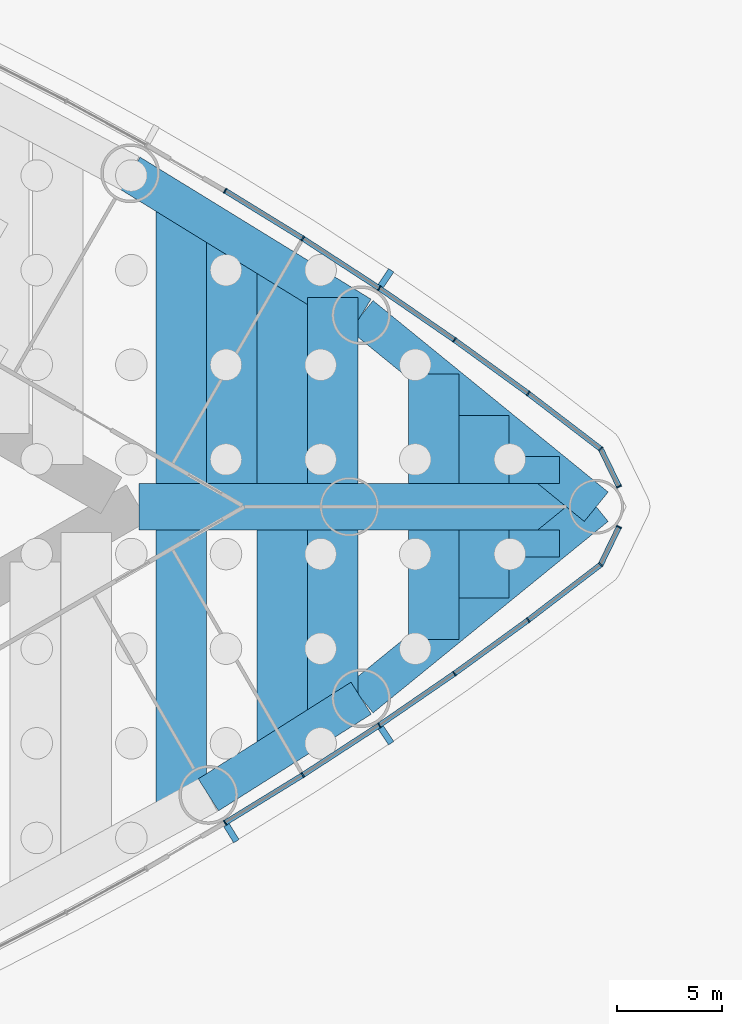
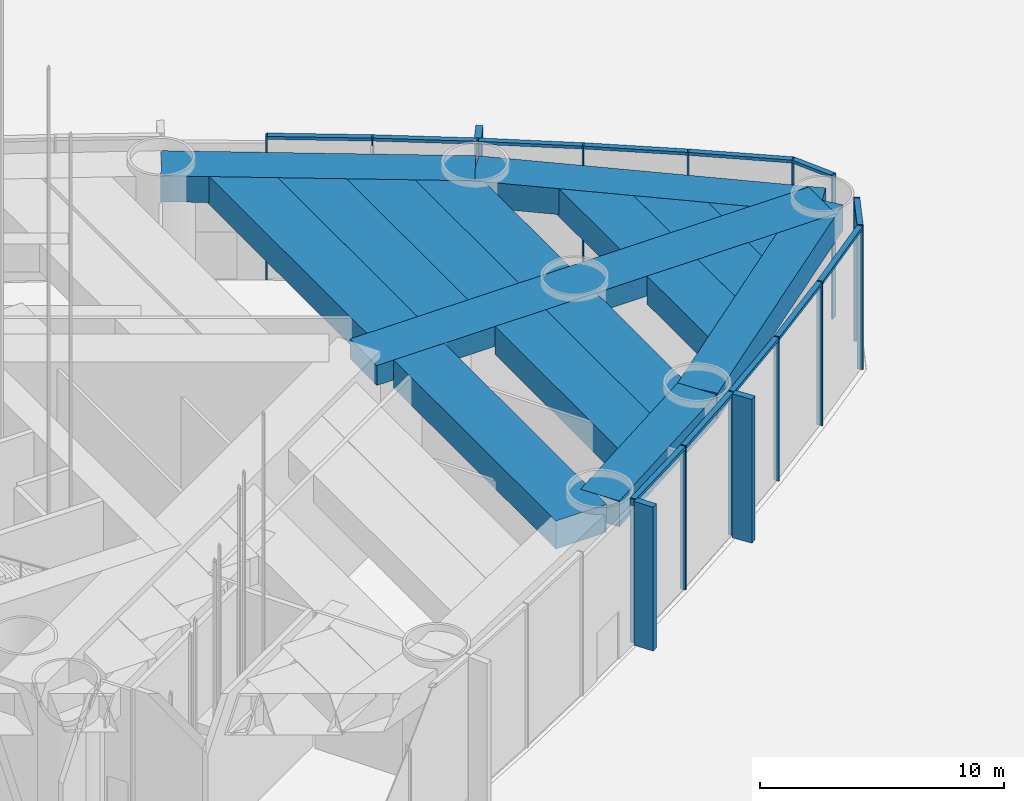
# One storey, part 16 of 43: 29 members, 18 beams, 2 elements without a shape of their own.
"""IFC4 building model written with IfcOpenShell, lengths in metres."""

from ifc_helpers import new_model, si_unit, direction, frame, origin, origin_2d, place, context, subcontext, project, spatial, rectangle, extrude, material, material_profile, profile_set, type_object, element, aggregate, save


model = new_model("IFC4")

# Units and contexts
model_context = context("Model", 3, precision=1e-05, world=origin(), true_north=direction((0.0, 1.0)))
body_context = subcontext(model_context, "Body", "Model", "MODEL_VIEW")
ifc_project = project(units=[si_unit("LENGTHUNIT", "METRE"), si_unit("AREAUNIT", "SQUARE_METRE"), si_unit("VOLUMEUNIT", "CUBIC_METRE"), si_unit("PLANEANGLEUNIT", "RADIAN"), si_unit("MASSUNIT", "GRAM", prefix="KILO")], contexts=[model_context])

# Site, building, storey
site_placement = place(None, origin())
site = spatial("IfcSite", under=ifc_project, at=site_placement, CompositionType="ELEMENT")
building_placement = place(site_placement, origin())
building = spatial("IfcBuilding", under=site, at=building_placement, Name="Lancet Gate Hotel", CompositionType="ELEMENT")
storey_placement = place(building_placement, origin())
storey = spatial("IfcBuildingStorey", under=building, at=storey_placement, Name="L00", CompositionType="ELEMENT", Elevation=0.0)

# Curtain wall, members
ifc_material_1 = material(Name="Aluminium curtain wall", Category="aluminium")
curtain_wall_type = type_object("IfcCurtainWallType", Name="Podium curtain wall", PredefinedType="USERDEFINED", material=ifc_material_1)
curtain_wall_1_placement = place(storey_placement, origin())
curtain_wall_1 = element("IfcCurtainWall", 1, at=curtain_wall_1_placement, inside=storey, type_object=curtain_wall_type, Name="T2 L00 curtain wall 3", ObjectType="UNITISED CURTAIN WALL", PredefinedType="USERDEFINED")
ifc_material_2 = material(Name="Aluminium mullion", Category="aluminium")
ifc_material_profile_1 = material_profile(ifc_material_2, rectangle(XDim=0.06494140625, YDim=0.25, at=origin_2d()), Name="MULLION 65x250")
ifc_profile_set_1 = profile_set([ifc_material_profile_1], Name="Aluminium mullion")
member_type_1 = type_object("IfcMemberType", Name="Aluminium mullion 65x250", PredefinedType="MULLION", material=ifc_profile_set_1)
member_1_placement = place(storey_placement, frame((55.590087890625, -15.03125, 0.0), z_axis=(0.0, 0.0, 1.0), x_axis=(0.851815201664, 0.523842402077, 0.0)))
member_1 = element("IfcMember", 2, at=member_1_placement, type_object=member_type_1, Name="T2 L00 curtain wall 3 mullion 1", PredefinedType="MULLION", context=body_context, shape_type="SweptSolid", body=[
    extrude(rectangle(XDim=0.06494140625, YDim=0.25, at=origin_2d()), origin(), (0.0, 0.0, 1.0), 7.199951171875),
])
member_2_placement = place(storey_placement, frame((59.28515625, -12.7587890625, 0.0), z_axis=(0.0, 0.0, 1.0), x_axis=(0.845079420983, 0.534640788035, 0.0)))
member_2 = element("IfcMember", 3, at=member_2_placement, type_object=member_type_1, Name="T2 L00 curtain wall 3 mullion 2", PredefinedType="MULLION", context=body_context, shape_type="SweptSolid", body=[
    extrude(rectangle(XDim=0.06494140625, YDim=0.25, at=origin_2d()), origin(), (0.0, 0.0, 1.0), 7.199951171875),
])
member_3_placement = place(storey_placement, frame((62.921142578125, -10.393310546875, 0.0), z_axis=(0.0, 0.0, 1.0), x_axis=(0.831198325377, 0.555976028162, 0.0)))
member_3 = element("IfcMember", 4, at=member_3_placement, type_object=member_type_1, Name="T2 L00 curtain wall 3 mullion 3", PredefinedType="MULLION", context=body_context, shape_type="SweptSolid", body=[
    extrude(rectangle(XDim=0.06494140625, YDim=0.25, at=origin_2d()), origin(), (0.0, 0.0, 1.0), 7.199951171875),
])
member_4_placement = place(storey_placement, frame((66.49560546875, -7.935791015625, 0.0), z_axis=(0.0, 0.0, 1.0), x_axis=(0.816778715254, 0.576951064049, 0.0)))
member_4 = element("IfcMember", 5, at=member_4_placement, type_object=member_type_1, Name="T2 L00 curtain wall 3 mullion 4", PredefinedType="MULLION", context=body_context, shape_type="SweptSolid", body=[
    extrude(rectangle(XDim=0.06494140625, YDim=0.25, at=origin_2d()), origin(), (0.0, 0.0, 1.0), 7.199951171875),
])
member_5_placement = place(storey_placement, frame((70.00634765625, -5.388427734375, 0.0), z_axis=(0.0, 0.0, 1.0), x_axis=(0.801829932754, 0.597552306447, 0.0)))
member_5 = element("IfcMember", 6, at=member_5_placement, type_object=member_type_1, Name="T2 L00 curtain wall 3 mullion 5", PredefinedType="MULLION", context=body_context, shape_type="SweptSolid", body=[
    extrude(rectangle(XDim=0.06494140625, YDim=0.25, at=origin_2d()), origin(), (0.0, 0.0, 1.0), 7.199951171875),
])
member_6_placement = place(storey_placement, frame((73.451416015625, -2.752197265625, 0.0), z_axis=(0.0, 0.0, 1.0), x_axis=(0.697983022443, 0.716114306784, 0.0)))
member_6 = element("IfcMember", 7, at=member_6_placement, type_object=member_type_1, Name="T2 L00 curtain wall 3 mullion 6", PredefinedType="MULLION", context=body_context, shape_type="SweptSolid", body=[
    extrude(rectangle(XDim=0.06494140625, YDim=0.25, at=origin_2d()), origin(), (0.0, 0.0, 1.0), 7.199951171875),
])
member_7_placement = place(storey_placement, frame((74.322265625, -0.96044921875, 0.0), z_axis=(0.0, 0.0, 1.0), x_axis=(0.437169070119, 0.899379343843, 0.0)))
member_7 = element("IfcMember", 8, at=member_7_placement, type_object=member_type_1, Name="T2 L00 curtain wall 3 mullion 7", PredefinedType="MULLION", context=body_context, shape_type="SweptSolid", body=[
    extrude(rectangle(XDim=0.06494140625, YDim=0.25, at=origin_2d()), origin(), (0.0, 0.0, 1.0), 7.199951171875),
])

curtain_wall_2_placement = place(storey_placement, origin())
curtain_wall_2 = element("IfcCurtainWall", 9, at=curtain_wall_2_placement, inside=storey, type_object=curtain_wall_type, Name="T2 L00 curtain wall 4", ObjectType="UNITISED CURTAIN WALL", PredefinedType="USERDEFINED")
member_8_placement = place(storey_placement, frame((74.322265625, 0.96044921875, 0.0), z_axis=(0.0, 0.0, 1.0), x_axis=(-0.437169070119, 0.899379343843, 0.0)))
member_8 = element("IfcMember", 10, at=member_8_placement, type_object=member_type_1, Name="T2 L00 curtain wall 4 mullion 1", PredefinedType="MULLION", context=body_context, shape_type="SweptSolid", body=[
    extrude(rectangle(XDim=0.06494140625, YDim=0.25, at=origin_2d()), origin(), (0.0, 0.0, 1.0), 7.199951171875),
])
member_9_placement = place(storey_placement, frame((73.451416015625, 2.752197265625, 0.0), z_axis=(0.0, 0.0, 1.0), x_axis=(-0.697983022443, 0.716114306784, 0.0)))
member_9 = element("IfcMember", 11, at=member_9_placement, type_object=member_type_1, Name="T2 L00 curtain wall 4 mullion 2", PredefinedType="MULLION", context=body_context, shape_type="SweptSolid", body=[
    extrude(rectangle(XDim=0.06494140625, YDim=0.25, at=origin_2d()), origin(), (0.0, 0.0, 1.0), 7.199951171875),
])
member_10_placement = place(storey_placement, frame((70.00634765625, 5.388427734375, 0.0), z_axis=(0.0, 0.0, 1.0), x_axis=(-0.801829932754, 0.597552306447, 0.0)))
member_10 = element("IfcMember", 12, at=member_10_placement, type_object=member_type_1, Name="T2 L00 curtain wall 4 mullion 3", PredefinedType="MULLION", context=body_context, shape_type="SweptSolid", body=[
    extrude(rectangle(XDim=0.06494140625, YDim=0.25, at=origin_2d()), origin(), (0.0, 0.0, 1.0), 7.199951171875),
])
member_11_placement = place(storey_placement, frame((66.49560546875, 7.935791015625, 0.0), z_axis=(0.0, 0.0, 1.0), x_axis=(-0.816778715254, 0.576951064049, 0.0)))
member_11 = element("IfcMember", 13, at=member_11_placement, type_object=member_type_1, Name="T2 L00 curtain wall 4 mullion 4", PredefinedType="MULLION", context=body_context, shape_type="SweptSolid", body=[
    extrude(rectangle(XDim=0.06494140625, YDim=0.25, at=origin_2d()), origin(), (0.0, 0.0, 1.0), 7.199951171875),
])
member_12_placement = place(storey_placement, frame((62.921142578125, 10.393310546875, 0.0), z_axis=(0.0, 0.0, 1.0), x_axis=(-0.831198325377, 0.555976028162, 0.0)))
member_12 = element("IfcMember", 14, at=member_12_placement, type_object=member_type_1, Name="T2 L00 curtain wall 4 mullion 5", PredefinedType="MULLION", context=body_context, shape_type="SweptSolid", body=[
    extrude(rectangle(XDim=0.06494140625, YDim=0.25, at=origin_2d()), origin(), (0.0, 0.0, 1.0), 7.199951171875),
])
member_13_placement = place(storey_placement, frame((59.28515625, 12.7587890625, 0.0), z_axis=(0.0, 0.0, 1.0), x_axis=(-0.845079420983, 0.534640788035, 0.0)))
member_13 = element("IfcMember", 15, at=member_13_placement, type_object=member_type_1, Name="T2 L00 curtain wall 4 mullion 6", PredefinedType="MULLION", context=body_context, shape_type="SweptSolid", body=[
    extrude(rectangle(XDim=0.06494140625, YDim=0.25, at=origin_2d()), origin(), (0.0, 0.0, 1.0), 7.199951171875),
])
member_14_placement = place(storey_placement, frame((55.590087890625, 15.03125, 0.0), z_axis=(0.0, 0.0, 1.0), x_axis=(-0.851815201664, 0.523842402077, 0.0)))
member_14 = element("IfcMember", 16, at=member_14_placement, type_object=member_type_1, Name="T2 L00 curtain wall 4 mullion 7", PredefinedType="MULLION", context=body_context, shape_type="SweptSolid", body=[
    extrude(rectangle(XDim=0.06494140625, YDim=0.25, at=origin_2d()), origin(), (0.0, 0.0, 1.0), 7.199951171875),
])

# Member
ifc_material_3 = material(Name="Aluminium transom", Category="aluminium")
ifc_material_profile_2 = material_profile(ifc_material_3, rectangle(XDim=0.25, YDim=0.14990234375, at=origin_2d()), Name="TRANSOM 250x150")
ifc_profile_set_2 = profile_set([ifc_material_profile_2], Name="Aluminium transom")
member_type_2 = type_object("IfcMemberType", Name="Aluminium transom 250x150", PredefinedType="USERDEFINED", material=ifc_profile_set_2)
member_15_placement = place(storey_placement, frame((55.617919921875, -15.01416015625, 7.125), z_axis=(0.851815224451, 0.523842365023, 0.0), x_axis=(-0.523842365023, 0.851815224451, 0.0)))
member_15 = element("IfcMember", 17, at=member_15_placement, type_object=member_type_2, Name="T2 L00 curtain wall 3 transom 1", ObjectType="TRANSOM", PredefinedType="USERDEFINED", context=body_context, shape_type="SweptSolid", body=[
    extrude(rectangle(XDim=0.25, YDim=0.14990234375, at=origin_2d()), origin(), (0.0, 0.0, 1.0), 4.272705078125),
])

member_16_placement = place(storey_placement, frame((59.3125, -12.7412109375, 7.125), z_axis=(0.83817850664, 0.545395994674, 0.0), x_axis=(-0.545395994674, 0.83817850664, 0.0)))
member_16 = element("IfcMember", 18, at=member_16_placement, type_object=member_type_2, Name="T2 L00 curtain wall 3 transom 2", ObjectType="TRANSOM", PredefinedType="USERDEFINED", context=body_context, shape_type="SweptSolid", body=[
    extrude(rectangle(XDim=0.25, YDim=0.14990234375, at=origin_2d()), origin(), (0.0, 0.0, 1.0), 4.272705078125),
])

member_17_placement = place(storey_placement, frame((62.94775390625, -10.374755859375, 7.125), z_axis=(0.824071932869, 0.566485171437, 0.0), x_axis=(-0.566485171437, 0.824071932869, 0.0)))
member_17 = element("IfcMember", 19, at=member_17_placement, type_object=member_type_2, Name="T2 L00 curtain wall 3 transom 3", ObjectType="TRANSOM", PredefinedType="USERDEFINED", context=body_context, shape_type="SweptSolid", body=[
    extrude(rectangle(XDim=0.25, YDim=0.14990234375, at=origin_2d()), origin(), (0.0, 0.0, 1.0), 4.272705078125),
])

member_18_placement = place(storey_placement, frame((66.52197265625, -7.916748046875, 7.125), z_axis=(0.809382971085, 0.587281198505, 0.0), x_axis=(-0.587281198505, 0.809382971085, 0.0)))
member_18 = element("IfcMember", 20, at=member_18_placement, type_object=member_type_2, Name="T2 L00 curtain wall 3 transom 4", ObjectType="TRANSOM", PredefinedType="USERDEFINED", context=body_context, shape_type="SweptSolid", body=[
    extrude(rectangle(XDim=0.25, YDim=0.14990234375, at=origin_2d()), origin(), (0.0, 0.0, 1.0), 4.272705078125),
])

member_19_placement = place(storey_placement, frame((70.0322265625, -5.36865234375, 7.125), z_axis=(0.794155062652, 0.607715177089, 0.0), x_axis=(-0.607715177089, 0.794155062652, 0.0)))
member_19 = element("IfcMember", 21, at=member_19_placement, type_object=member_type_2, Name="T2 L00 curtain wall 3 transom 5", ObjectType="TRANSOM", PredefinedType="USERDEFINED", context=body_context, shape_type="SweptSolid", body=[
    extrude(rectangle(XDim=0.25, YDim=0.14990234375, at=origin_2d()), origin(), (0.0, 0.0, 1.0), 4.27294921875),
])

member_20_placement = place(storey_placement, frame((73.465576171875, -2.72314453125, 7.125), z_axis=(0.437103060611, 0.899411426659, 0.0), x_axis=(-0.899411426659, 0.437103060611, 0.0)))
member_20 = element("IfcMember", 22, at=member_20_placement, type_object=member_type_2, Name="T2 L00 curtain wall 3 transom 6", ObjectType="TRANSOM", PredefinedType="USERDEFINED", context=body_context, shape_type="SweptSolid", body=[
    extrude(rectangle(XDim=0.25, YDim=0.14990234375, at=origin_2d()), origin(), (0.0, 0.0, 1.0), 1.927490234375),
])

member_21_placement = place(storey_placement, frame((74.30810546875, 0.989501953125, 7.125), z_axis=(-0.437103060611, 0.899411426659, 0.0), x_axis=(-0.899411426659, -0.437103060611, 0.0)))
member_21 = element("IfcMember", 23, at=member_21_placement, type_object=member_type_2, Name="T2 L00 curtain wall 4 transom 1", ObjectType="TRANSOM", PredefinedType="USERDEFINED", context=body_context, shape_type="SweptSolid", body=[
    extrude(rectangle(XDim=0.25, YDim=0.14990234375, at=origin_2d()), origin(), (0.0, 0.0, 1.0), 1.927490234375),
])

member_22_placement = place(storey_placement, frame((73.425537109375, 2.77197265625, 7.125), z_axis=(-0.794155062652, 0.607715177089, 0.0), x_axis=(-0.607715177089, -0.794155062652, 0.0)))
member_22 = element("IfcMember", 24, at=member_22_placement, type_object=member_type_2, Name="T2 L00 curtain wall 4 transom 2", ObjectType="TRANSOM", PredefinedType="USERDEFINED", context=body_context, shape_type="SweptSolid", body=[
    extrude(rectangle(XDim=0.25, YDim=0.14990234375, at=origin_2d()), origin(), (0.0, 0.0, 1.0), 4.27294921875),
])

member_23_placement = place(storey_placement, frame((69.980224609375, 5.407470703125, 7.125), z_axis=(-0.809382971085, 0.587281198505, 0.0), x_axis=(-0.587281198505, -0.809382971085, 0.0)))
member_23 = element("IfcMember", 25, at=member_23_placement, type_object=member_type_2, Name="T2 L00 curtain wall 4 transom 3", ObjectType="TRANSOM", PredefinedType="USERDEFINED", context=body_context, shape_type="SweptSolid", body=[
    extrude(rectangle(XDim=0.25, YDim=0.14990234375, at=origin_2d()), origin(), (0.0, 0.0, 1.0), 4.272705078125),
])

member_24_placement = place(storey_placement, frame((66.46875, 7.954345703125, 7.125), z_axis=(-0.824071932869, 0.566485171437, 0.0), x_axis=(-0.566485171437, -0.824071932869, 0.0)))
member_24 = element("IfcMember", 26, at=member_24_placement, type_object=member_type_2, Name="T2 L00 curtain wall 4 transom 4", ObjectType="TRANSOM", PredefinedType="USERDEFINED", context=body_context, shape_type="SweptSolid", body=[
    extrude(rectangle(XDim=0.25, YDim=0.14990234375, at=origin_2d()), origin(), (0.0, 0.0, 1.0), 4.272705078125),
])

member_25_placement = place(storey_placement, frame((62.893798828125, 10.410888671875, 7.125), z_axis=(-0.83817850664, 0.545395994674, 0.0), x_axis=(-0.545395994674, -0.83817850664, 0.0)))
member_25 = element("IfcMember", 27, at=member_25_placement, type_object=member_type_2, Name="T2 L00 curtain wall 4 transom 5", ObjectType="TRANSOM", PredefinedType="USERDEFINED", context=body_context, shape_type="SweptSolid", body=[
    extrude(rectangle(XDim=0.25, YDim=0.14990234375, at=origin_2d()), origin(), (0.0, 0.0, 1.0), 4.272705078125),
])

member_26_placement = place(storey_placement, frame((59.257568359375, 12.77587890625, 7.125), z_axis=(-0.851815224451, 0.523842365023, 0.0), x_axis=(-0.523842365023, -0.851815224451, 0.0)))
member_26 = element("IfcMember", 28, at=member_26_placement, type_object=member_type_2, Name="T2 L00 curtain wall 4 transom 6", ObjectType="TRANSOM", PredefinedType="USERDEFINED", context=body_context, shape_type="SweptSolid", body=[
    extrude(rectangle(XDim=0.25, YDim=0.14990234375, at=origin_2d()), origin(), (0.0, 0.0, 1.0), 4.272705078125),
])

# Beams
ifc_material_4 = material(Name="Concrete C50/60", Category="concrete")
ifc_material_profile_3 = material_profile(ifc_material_4, rectangle(XDim=1.800048828125, YDim=1.300048828125, at=origin_2d()), Name="RC 1800x1300")
ifc_profile_set_3 = profile_set([ifc_material_profile_3], Name="Concrete C50/60")
beam_type_1 = type_object("IfcBeamType", Name="Edge beam RC 1800x1300", PredefinedType="SPANDREL", material=ifc_profile_set_3)
beam_1_placement = place(storey_placement, frame((54.795166015625, -13.70068359375, 6.199951171875), z_axis=(0.845078312276, 0.534642540508, 0.0), x_axis=(-0.534642540508, 0.845078312276, 0.0)))
element("IfcBeam", 29, at=beam_1_placement, inside=storey, type_object=beam_type_1, Name="T2 edge beam EB1 L00", PredefinedType="SPANDREL", context=body_context, shape_type="SweptSolid", body=[
    extrude(rectangle(XDim=1.800048828125, YDim=1.300048828125, at=origin_2d()), origin(), (0.0, 0.0, 1.0), 8.595947265625),
])
for number, where, z_axis, x_axis, name in (
    (30, (62.059326171875, -9.10498046875, 6.199951171875), (0.775390970005, 0.631481467372, 0.0), (-0.631481467372, 0.775390970005, 0.0), "T2 edge beam EB1 L00"),
    (31, (73.2392578125, 0.0, 6.199951171875), (-0.775390970005, 0.631481467372, 0.0), (-0.631481467372, -0.775390970005, 0.0), "T2 edge beam EB1 L00"),
):
    element("IfcBeam", number, at=place(storey_placement, frame(where, z_axis=z_axis, x_axis=x_axis)), inside=storey, type_object=beam_type_1, Name=name, PredefinedType="SPANDREL", context=body_context, shape_type="SweptSolid", body=[
        extrude(rectangle(XDim=1.800048828125, YDim=1.300048828125, at=origin_2d()), origin(), (0.0, 0.0, 1.0), 14.41845703125),
    ])
beam_2_placement = place(storey_placement, frame((62.059326171875, 9.10498046875, 6.199951171875), z_axis=(-0.851815628025, 0.523841708775, 0.0), x_axis=(-0.523841708775, -0.851815628025, 0.0)))
element("IfcBeam", 32, at=beam_2_placement, inside=storey, type_object=beam_type_1, Name="T2 edge beam EB1 L00", PredefinedType="SPANDREL", context=body_context, shape_type="SweptSolid", body=[
    extrude(rectangle(XDim=1.800048828125, YDim=1.300048828125, at=origin_2d()), origin(), (0.0, 0.0, 1.0), 12.89208984375),
])

# Member
ifc_material_5 = material(Name="Precast concrete C50/60", Category="concrete")
ifc_material_profile_4 = material_profile(ifc_material_5, rectangle(XDim=0.300048828125, YDim=0.89990234375, at=origin_2d()), Name="FIN 300x900")
ifc_profile_set_4 = profile_set([ifc_material_profile_4], Name="Precast concrete C50/60")
member_type_3 = type_object("IfcMemberType", Name="Exposed concrete fin 300x900", PredefinedType="USERDEFINED", material=ifc_profile_set_4)
member_27_placement = place(storey_placement, frame((55.891357421875, -15.52099609375, 0.0), z_axis=(0.0, 0.0, 1.0), x_axis=(0.851815201664, 0.523842402077, 0.0)))
member_27 = element("IfcMember", 33, at=member_27_placement, type_object=member_type_3, Name="T2 L00 curtain wall 3 fin 1", ObjectType="FIN", PredefinedType="USERDEFINED", context=body_context, shape_type="SweptSolid", body=[
    extrude(rectangle(XDim=0.300048828125, YDim=0.89990234375, at=origin_2d()), origin(), (0.0, 0.0, 1.0), 7.199951171875),
])

member_28_placement = place(storey_placement, frame((63.24072265625, -10.87109375, 0.0), z_axis=(0.0, 0.0, 1.0), x_axis=(0.831198325377, 0.555976028162, 0.0)))
member_28 = element("IfcMember", 34, at=member_28_placement, type_object=member_type_3, Name="T2 L00 curtain wall 3 fin 3", ObjectType="FIN", PredefinedType="USERDEFINED", context=body_context, shape_type="SweptSolid", body=[
    extrude(rectangle(XDim=0.300048828125, YDim=0.89990234375, at=origin_2d()), origin(), (0.0, 0.0, 1.0), 7.199951171875),
])

aggregate(curtain_wall_1, [member_1, member_27, member_2, member_3, member_28, member_4, member_5, member_6, member_7, member_15, member_16, member_17, member_18, member_19, member_20])

member_29_placement = place(storey_placement, frame((63.24072265625, 10.87109375, 0.0), z_axis=(0.0, 0.0, 1.0), x_axis=(-0.831198325377, 0.555976028162, 0.0)))
member_29 = element("IfcMember", 35, at=member_29_placement, type_object=member_type_3, Name="T2 L00 curtain wall 4 fin 5", ObjectType="FIN", PredefinedType="USERDEFINED", context=body_context, shape_type="SweptSolid", body=[
    extrude(rectangle(XDim=0.300048828125, YDim=0.89990234375, at=origin_2d()), origin(), (0.0, 0.0, 1.0), 7.199951171875),
])

aggregate(curtain_wall_2, [member_8, member_9, member_10, member_11, member_12, member_29, member_13, member_14, member_21, member_22, member_23, member_24, member_25, member_26])

# Beams
ifc_material_6 = material(Name="Concrete C50/60", Category="concrete")
ifc_material_profile_5 = material_profile(ifc_material_6, rectangle(XDim=2.39990234375, YDim=1.39990234375, at=origin_2d()), Name="RC 2400x1400")
ifc_profile_set_5 = profile_set([ifc_material_profile_5], Name="Concrete C50/60")
beam_type_2 = type_object("IfcBeamType", Name="Floor beam RC 2400x1400", PredefinedType="BEAM", material=ifc_profile_set_5)
beam_3_placement = place(storey_placement, frame((53.502197265625, -14.40771484375, 6.14990234375), z_axis=(0.0, 1.0, 0.0), x_axis=(-1.0, 0.0, 0.0)))
element("IfcBeam", 36, at=beam_3_placement, inside=storey, type_object=beam_type_2, Name="T2 floor beam F16S L00", PredefinedType="BEAM", context=body_context, shape_type="SweptSolid", body=[
    extrude(rectangle(XDim=2.39990234375, YDim=1.39990234375, at=origin_2d()), origin(), (0.0, 0.0, 1.0), 13.3076171875),
])
beam_4_placement = place(storey_placement, frame((53.502197265625, 1.10009765625, 6.14990234375), z_axis=(0.0, 1.0, 0.0), x_axis=(-1.0, 0.0, 0.0)))
element("IfcBeam", 37, at=beam_4_placement, inside=storey, type_object=beam_type_2, Name="T2 floor beam F17N L00", PredefinedType="BEAM", context=body_context, shape_type="SweptSolid", body=[
    extrude(rectangle(XDim=2.39990234375, YDim=1.39990234375, at=origin_2d()), origin(), (0.0, 0.0, 1.0), 13.26708984375),
])
beam_5_placement = place(storey_placement, frame((55.90234375, 1.10009765625, 6.14990234375), z_axis=(0.0, 1.0, 0.0), x_axis=(-1.0, 0.0, 0.0)))
element("IfcBeam", 38, at=beam_5_placement, inside=storey, type_object=beam_type_2, Name="T2 floor beam F18N L00", PredefinedType="BEAM", context=body_context, shape_type="SweptSolid", body=[
    extrude(rectangle(XDim=2.39990234375, YDim=1.39990234375, at=origin_2d()), origin(), (0.0, 0.0, 1.0), 11.791259765625),
])
beam_6_placement = place(storey_placement, frame((58.30224609375, -11.48193359375, 6.14990234375), z_axis=(0.0, 1.0, 0.0), x_axis=(-1.0, 0.0, 0.0)))
element("IfcBeam", 39, at=beam_6_placement, inside=storey, type_object=beam_type_2, Name="T2 floor beam F19S L00", PredefinedType="BEAM", context=body_context, shape_type="SweptSolid", body=[
    extrude(rectangle(XDim=2.39990234375, YDim=1.39990234375, at=origin_2d()), origin(), (0.0, 0.0, 1.0), 10.3818359375),
])
beam_7_placement = place(storey_placement, frame((58.30224609375, 1.10009765625, 6.14990234375), z_axis=(0.0, 1.0, 0.0), x_axis=(-1.0, 0.0, 0.0)))
element("IfcBeam", 40, at=beam_7_placement, inside=storey, type_object=beam_type_2, Name="T2 floor beam F20N L00", PredefinedType="BEAM", context=body_context, shape_type="SweptSolid", body=[
    extrude(rectangle(XDim=2.39990234375, YDim=1.39990234375, at=origin_2d()), origin(), (0.0, 0.0, 1.0), 10.3154296875),
])
beam_8_placement = place(storey_placement, frame((60.7021484375, -9.96337890625, 6.14990234375), z_axis=(0.0, 1.0, 0.0), x_axis=(-1.0, 0.0, 0.0)))
element("IfcBeam", 41, at=beam_8_placement, inside=storey, type_object=beam_type_2, Name="T2 floor beam F21S L00", PredefinedType="BEAM", context=body_context, shape_type="SweptSolid", body=[
    extrude(rectangle(XDim=2.39990234375, YDim=1.39990234375, at=origin_2d()), origin(), (0.0, 0.0, 1.0), 8.86328125),
])
beam_9_placement = place(storey_placement, frame((60.7021484375, 1.10009765625, 6.14990234375), z_axis=(0.0, 1.0, 0.0), x_axis=(-1.0, 0.0, 0.0)))
element("IfcBeam", 42, at=beam_9_placement, inside=storey, type_object=beam_type_2, Name="T2 floor beam F22N L00", PredefinedType="BEAM", context=body_context, shape_type="SweptSolid", body=[
    extrude(rectangle(XDim=2.39990234375, YDim=1.39990234375, at=origin_2d()), origin(), (0.0, 0.0, 1.0), 8.83935546875),
])
for number, where, z_axis, x_axis, name in (
    (43, (65.502197265625, -6.301025390625, 6.14990234375), (0.0, 1.0, 0.0), (-1.0, 0.0, 0.0), "T2 floor beam F23S L00"),
    (44, (65.502197265625, 1.10009765625, 6.14990234375), (0.0, 1.0, 0.0), (-1.0, 0.0, 0.0), "T2 floor beam F24N L00"),
):
    element("IfcBeam", number, at=place(storey_placement, frame(where, z_axis=z_axis, x_axis=x_axis)), inside=storey, type_object=beam_type_2, Name=name, PredefinedType="BEAM", context=body_context, shape_type="SweptSolid", body=[
        extrude(rectangle(XDim=2.39990234375, YDim=1.39990234375, at=origin_2d()), origin(), (0.0, 0.0, 1.0), 5.200927734375),
    ])
for number, where, z_axis, x_axis, name in (
    (45, (67.90234375, -4.346435546875, 6.14990234375), (0.0, 1.0, 0.0), (-1.0, 0.0, 0.0), "T2 floor beam F25S L00"),
    (46, (67.90234375, 1.10009765625, 6.14990234375), (0.0, 1.0, 0.0), (-1.0, 0.0, 0.0), "T2 floor beam F26N L00"),
):
    element("IfcBeam", number, at=place(storey_placement, frame(where, z_axis=z_axis, x_axis=x_axis)), inside=storey, type_object=beam_type_2, Name=name, PredefinedType="BEAM", context=body_context, shape_type="SweptSolid", body=[
        extrude(rectangle(XDim=2.39990234375, YDim=1.39990234375, at=origin_2d()), origin(), (0.0, 0.0, 1.0), 3.246337890625),
    ])
for number, where, z_axis, x_axis, name in (
    (47, (70.30224609375, -2.391845703125, 6.14990234375), (0.0, 1.0, 0.0), (-1.0, 0.0, 0.0), "T2 floor beam F27S L00"),
    (48, (70.30224609375, 1.10009765625, 6.14990234375), (0.0, 1.0, 0.0), (-1.0, 0.0, 0.0), "T2 floor beam F28N L00"),
):
    element("IfcBeam", number, at=place(storey_placement, frame(where, z_axis=z_axis, x_axis=x_axis)), inside=storey, type_object=beam_type_2, Name=name, PredefinedType="BEAM", context=body_context, shape_type="SweptSolid", body=[
        extrude(rectangle(XDim=2.39990234375, YDim=1.39990234375, at=origin_2d()), origin(), (0.0, 0.0, 1.0), 1.291748046875),
    ])
ifc_material_7 = material(Name="Concrete C50/60", Category="concrete")
ifc_material_profile_6 = material_profile(ifc_material_7, rectangle(XDim=2.199951171875, YDim=1.0, at=origin_2d()), Name="RC 2200x1000")
ifc_profile_set_6 = profile_set([ifc_material_profile_6], Name="Concrete C50/60")
beam_type_3 = type_object("IfcBeamType", Name="Radial floor beam RC 2200x1000", PredefinedType="BEAM", material=ifc_profile_set_6)
beam_10_placement = place(storey_placement, frame((73.2392578125, 0.0, 6.35009765625), z_axis=(-1.0, 0.0, 0.0), x_axis=(0.0, -1.0, 0.0)))
element("IfcBeam", 49, at=beam_10_placement, inside=storey, type_object=beam_type_3, Name="T2 radial beam CA L00", PredefinedType="BEAM", context=body_context, shape_type="SweptSolid", body=[
    extrude(rectangle(XDim=2.199951171875, YDim=1.0, at=origin_2d()), origin(), (0.0, 0.0, 1.0), 21.737060546875),
])

save(model, "model.ifc")
